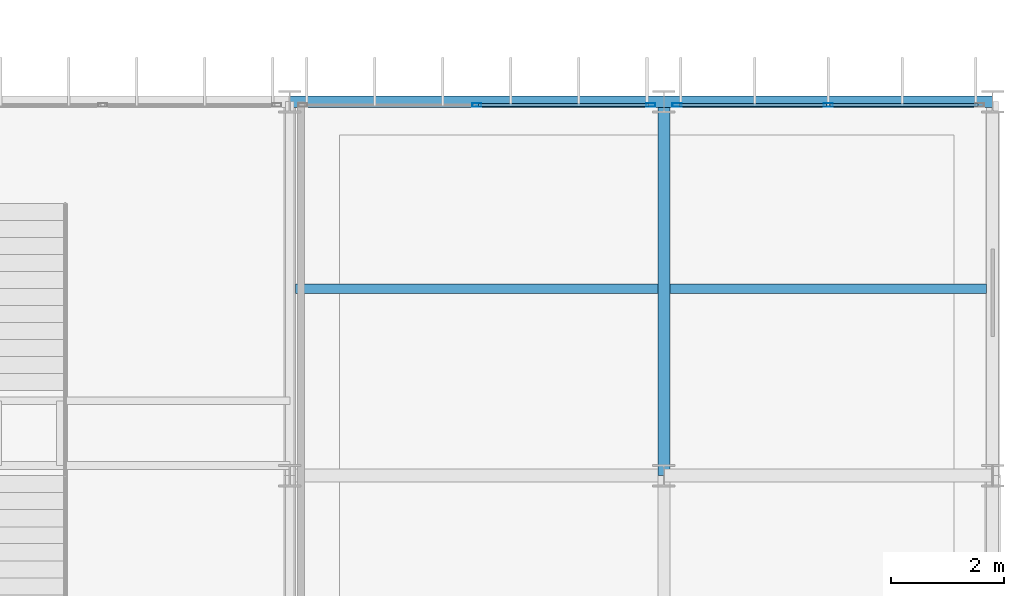
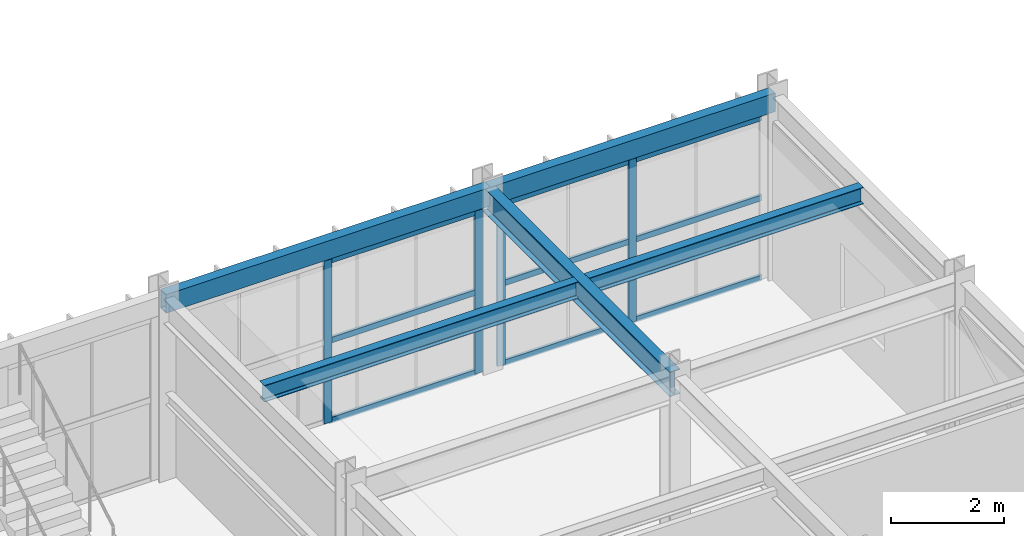
# One storey, part 94 of 148: 13 members, 5 beams, 2 elements without a shape of their own.
"""IFC4 building model written with IfcOpenShell, lengths in metres."""

from ifc_helpers import new_model, si_unit, direction, frame, origin, origin_2d, place, context, subcontext, project, spatial, hollow_rectangle, i_section, extrude, material, material_profile, profile_set, type_object, element, aggregate, save


model = new_model("IFC4")

# Units and contexts
model_context = context("Model", 3, precision=1e-05, world=origin(), true_north=direction((0.0, 1.0)))
body_context = subcontext(model_context, "Body", "Model", "MODEL_VIEW")
ifc_project = project(units=[si_unit("LENGTHUNIT", "METRE"), si_unit("AREAUNIT", "SQUARE_METRE"), si_unit("VOLUMEUNIT", "CUBIC_METRE"), si_unit("PLANEANGLEUNIT", "RADIAN"), si_unit("MASSUNIT", "GRAM", prefix="KILO")], contexts=[model_context])

# Site, building, storey
site_placement = place(None, origin())
site = spatial("IfcSite", under=ifc_project, at=site_placement, CompositionType="ELEMENT")
building_placement = place(site_placement, origin())
building = spatial("IfcBuilding", under=site, at=building_placement, Name="Karori Crest Natural Sciences Institute", CompositionType="ELEMENT")
storey_placement = place(building_placement, frame((0.0, 0.0, 4.89990234375)))
storey = spatial("IfcBuildingStorey", under=building, at=storey_placement, Name="L01", CompositionType="ELEMENT", Elevation=4.89990234375)

# Beams
ifc_material_1 = material(Name="Structural steel AS/NZS 3679.1 Grade 350", Category="steel")
ifc_material_profile_1 = material_profile(ifc_material_1, i_section(OverallWidth=0.208984375, OverallDepth=0.532958984375, WebThickness=0.01025390625, FlangeThickness=0.015625, FilletRadius=0.013916015625, at=origin_2d()), Name="530UB92.4")
ifc_profile_set_1 = profile_set([ifc_material_profile_1], Name="Structural steel AS/NZS 3679.1 Grade 350")
beam_type_1 = type_object("IfcBeamType", Name="BT-05", PredefinedType="BEAM", material=ifc_profile_set_1)
beam_1_placement = place(storey_placement, frame((156.39990234375, 14.0, 3.653564453125), z_axis=(0.0, 1.0, 0.0), x_axis=(-1.0, 0.0, 0.0)))
element("IfcBeam", 1, at=beam_1_placement, inside=storey, type_object=beam_type_1, Name="Beam B-2168", PredefinedType="BEAM", context=body_context, shape_type="SweptSolid", body=[
    extrude(i_section(OverallWidth=0.208984375, OverallDepth=0.532958984375, WebThickness=0.01025390625, FlangeThickness=0.015625, FilletRadius=0.013916015625, at=origin_2d()), origin(), (0.0, 0.0, 1.0), 6.60009765625),
])
ifc_material_profile_2 = material_profile(ifc_material_1, i_section(OverallWidth=0.172119140625, OverallDepth=0.35888671875, WebThickness=0.008056640625, FlangeThickness=0.012939453125, FilletRadius=0.010986328125, at=origin_2d()), Name="360UB56.7")
ifc_profile_set_2 = profile_set([ifc_material_profile_2], Name="Structural steel AS/NZS 3679.1 Grade 350")
beam_type_2 = type_object("IfcBeamType", Name="BT-08", PredefinedType="BEAM", material=ifc_profile_set_2)
beam_2_placement = place(storey_placement, frame((149.904541015625, 17.300048828125, 3.740478515625), z_axis=(1.0, 0.0, 0.0), x_axis=(0.0, 1.0, 0.0)))
element("IfcBeam", 2, at=beam_2_placement, inside=storey, type_object=beam_type_2, Name="Beam B-2191", PredefinedType="BEAM", context=body_context, shape_type="SweptSolid", body=[
    extrude(i_section(OverallWidth=0.172119140625, OverallDepth=0.35888671875, WebThickness=0.008056640625, FlangeThickness=0.012939453125, FilletRadius=0.010986328125, at=origin_2d()), origin(), (0.0, 0.0, 1.0), 6.390869140625),
])
beam_3_placement = place(storey_placement, frame((156.50439453125, 17.300048828125, 3.740478515625), z_axis=(1.0, 0.0, 0.0), x_axis=(0.0, 1.0, 0.0)))
element("IfcBeam", 3, at=beam_3_placement, inside=storey, type_object=beam_type_2, Name="Beam B-2194", PredefinedType="BEAM", context=body_context, shape_type="SweptSolid", body=[
    extrude(i_section(OverallWidth=0.172119140625, OverallDepth=0.35888671875, WebThickness=0.008056640625, FlangeThickness=0.012939453125, FilletRadius=0.010986328125, at=origin_2d()), origin(), (0.0, 0.0, 1.0), 5.591064453125),
])
ifc_material_2 = material(Name="Hollow structural steel AS/NZS 1163 Grade C350", Category="steel")
ifc_material_profile_3 = material_profile(ifc_material_2, hollow_rectangle(XDim=0.199951171875, YDim=0.39990234375, WallThickness=0.012451171875, at=origin_2d()), Name="RHS400x200x12.5")
ifc_profile_set_3 = profile_set([ifc_material_profile_3], Name="Hollow structural steel AS/NZS 1163 Grade C350")
beam_type_3 = type_object("IfcBeamType", Name="BT-14", PredefinedType="SPANDREL", material=ifc_profile_set_3)
beam_4_placement = place(storey_placement, frame((149.800048828125, 20.60009765625, 3.72021484375), z_axis=(1.0, 0.0, 0.0), x_axis=(0.0, 1.0, 0.0)))
element("IfcBeam", 4, at=beam_4_placement, inside=storey, type_object=beam_type_3, Name="Beam B-2140", PredefinedType="SPANDREL", context=body_context, shape_type="SweptSolid", body=[
    extrude(hollow_rectangle(XDim=0.199951171875, YDim=0.39990234375, WallThickness=0.012451171875, at=origin_2d()), origin(), (0.0, 0.0, 1.0), 6.599853515625),
])
beam_5_placement = place(storey_placement, frame((156.39990234375, 20.60009765625, 3.72021484375), z_axis=(1.0, 0.0, 0.0), x_axis=(0.0, 1.0, 0.0)))
element("IfcBeam", 5, at=beam_5_placement, inside=storey, type_object=beam_type_3, Name="Beam B-2141", PredefinedType="SPANDREL", context=body_context, shape_type="SweptSolid", body=[
    extrude(hollow_rectangle(XDim=0.199951171875, YDim=0.39990234375, WallThickness=0.012451171875, at=origin_2d()), origin(), (0.0, 0.0, 1.0), 5.800048828125),
])

# Curtain wall, members
ifc_material_3 = material(Name="Anodised architectural aluminium 6063-T6", Category="aluminium")
curtain_wall_type = type_object("IfcCurtainWallType", Name="CWT-20", PredefinedType="NOTDEFINED", material=ifc_material_3)
curtain_wall_1_placement = place(storey_placement, origin())
curtain_wall_1 = element("IfcCurtainWall", 6, at=curtain_wall_1_placement, inside=storey, type_object=curtain_wall_type, Name="Curtain wall CW-0311", PredefinedType="NOTDEFINED")
ifc_material_profile_4 = material_profile(ifc_material_3, hollow_rectangle(XDim=0.06494140625, YDim=0.159912109375, WallThickness=0.00390625, at=origin_2d()), Name="CWM160x65x4")
ifc_profile_set_4 = profile_set([ifc_material_profile_4], Name="Anodised architectural aluminium 6063-T6")
member_type_1 = type_object("IfcMemberType", Name="CWM-01", PredefinedType="MULLION", material=ifc_profile_set_4)
member_1_placement = place(storey_placement, frame((153.10009765625, 20.5400390625, 0.0), z_axis=(0.0, 0.0, 1.0), x_axis=(0.0, 1.0, 0.0)))
member_1 = element("IfcMember", 7, at=member_1_placement, type_object=member_type_1, Name="CW-0311 mullion 2", PredefinedType="MULLION", context=body_context, shape_type="SweptSolid", body=[
    extrude(hollow_rectangle(XDim=0.06494140625, YDim=0.159912109375, WallThickness=0.00390625, at=origin_2d()), origin(), (0.0, 0.0, 1.0), 3.505126953125),
])
member_2_placement = place(storey_placement, frame((156.16943359375, 20.5400390625, 0.0), z_axis=(0.0, 0.0, 1.0), x_axis=(0.0, 1.0, 0.0)))
member_2 = element("IfcMember", 8, at=member_2_placement, type_object=member_type_1, Name="CW-0311 mullion 3", PredefinedType="MULLION", context=body_context, shape_type="SweptSolid", body=[
    extrude(hollow_rectangle(XDim=0.06494140625, YDim=0.159912109375, WallThickness=0.00390625, at=origin_2d()), origin(), (0.0, 0.0, 1.0), 3.505126953125),
])

curtain_wall_2_placement = place(storey_placement, origin())
curtain_wall_2 = element("IfcCurtainWall", 9, at=curtain_wall_2_placement, inside=storey, type_object=curtain_wall_type, Name="Curtain wall CW-0312", PredefinedType="NOTDEFINED")
member_3_placement = place(storey_placement, frame((156.630615234375, 20.5400390625, 0.0), z_axis=(0.0, 0.0, 1.0), x_axis=(0.0, 1.0, 0.0)))
member_3 = element("IfcMember", 10, at=member_3_placement, type_object=member_type_1, Name="CW-0312 mullion 1", PredefinedType="MULLION", context=body_context, shape_type="SweptSolid", body=[
    extrude(hollow_rectangle(XDim=0.06494140625, YDim=0.159912109375, WallThickness=0.00390625, at=origin_2d()), origin(), (0.0, 0.0, 1.0), 3.505126953125),
])
member_4_placement = place(storey_placement, frame((159.300048828125, 20.5400390625, 0.0), z_axis=(0.0, 0.0, 1.0), x_axis=(0.0, 1.0, 0.0)))
member_4 = element("IfcMember", 11, at=member_4_placement, type_object=member_type_1, Name="CW-0312 mullion 2", PredefinedType="MULLION", context=body_context, shape_type="SweptSolid", body=[
    extrude(hollow_rectangle(XDim=0.06494140625, YDim=0.159912109375, WallThickness=0.00390625, at=origin_2d()), origin(), (0.0, 0.0, 1.0), 3.505126953125),
])

# Member
ifc_material_profile_5 = material_profile(ifc_material_3, hollow_rectangle(XDim=0.06005859375, YDim=0.1201171875, WallThickness=0.00390625, at=origin_2d()), Name="CWT120x60x4")
ifc_profile_set_5 = profile_set([ifc_material_profile_5], Name="Anodised architectural aluminium 6063-T6")
member_type_2 = type_object("IfcMemberType", Name="CWT-TR1", PredefinedType="USERDEFINED", material=ifc_profile_set_5)
member_5_placement = place(storey_placement, frame((153.132568359375, 20.5400390625, 0.030029296875), z_axis=(1.0, 0.0, 0.0), x_axis=(0.0, 1.0, 0.0)))
member_5 = element("IfcMember", 12, at=member_5_placement, type_object=member_type_2, Name="CW-0311 transom 2.1", ObjectType="TRANSOM", PredefinedType="USERDEFINED", context=body_context, shape_type="SweptSolid", body=[
    extrude(hollow_rectangle(XDim=0.06005859375, YDim=0.1201171875, WallThickness=0.00390625, at=origin_2d()), origin(), (0.0, 0.0, 1.0), 3.00439453125),
])

member_6_placement = place(storey_placement, frame((153.132568359375, 20.5400390625, 1.752685546875), z_axis=(1.0, 0.0, 0.0), x_axis=(0.0, 1.0, 0.0)))
member_6 = element("IfcMember", 13, at=member_6_placement, type_object=member_type_2, Name="CW-0311 transom 2.2", ObjectType="TRANSOM", PredefinedType="USERDEFINED", context=body_context, shape_type="SweptSolid", body=[
    extrude(hollow_rectangle(XDim=0.06005859375, YDim=0.1201171875, WallThickness=0.00390625, at=origin_2d()), origin(), (0.0, 0.0, 1.0), 3.00439453125),
])

member_7_placement = place(storey_placement, frame((153.132568359375, 20.5400390625, 3.47509765625), z_axis=(1.0, 0.0, 0.0), x_axis=(0.0, 1.0, 0.0)))
member_7 = element("IfcMember", 14, at=member_7_placement, type_object=member_type_2, Name="CW-0311 transom 2.3", ObjectType="TRANSOM", PredefinedType="USERDEFINED", context=body_context, shape_type="SweptSolid", body=[
    extrude(hollow_rectangle(XDim=0.06005859375, YDim=0.1201171875, WallThickness=0.00390625, at=origin_2d()), origin(), (0.0, 0.0, 1.0), 3.00439453125),
])

aggregate(curtain_wall_1, [member_1, member_2, member_5, member_6, member_7])

member_8_placement = place(storey_placement, frame((156.6630859375, 20.5400390625, 0.030029296875), z_axis=(1.0, 0.0, 0.0), x_axis=(0.0, 1.0, 0.0)))
member_8 = element("IfcMember", 15, at=member_8_placement, type_object=member_type_2, Name="CW-0312 transom 1.1", ObjectType="TRANSOM", PredefinedType="USERDEFINED", context=body_context, shape_type="SweptSolid", body=[
    extrude(hollow_rectangle(XDim=0.06005859375, YDim=0.1201171875, WallThickness=0.00390625, at=origin_2d()), origin(), (0.0, 0.0, 1.0), 2.6044921875),
])

member_9_placement = place(storey_placement, frame((156.6630859375, 20.5400390625, 1.752685546875), z_axis=(1.0, 0.0, 0.0), x_axis=(0.0, 1.0, 0.0)))
member_9 = element("IfcMember", 16, at=member_9_placement, type_object=member_type_2, Name="CW-0312 transom 1.2", ObjectType="TRANSOM", PredefinedType="USERDEFINED", context=body_context, shape_type="SweptSolid", body=[
    extrude(hollow_rectangle(XDim=0.06005859375, YDim=0.1201171875, WallThickness=0.00390625, at=origin_2d()), origin(), (0.0, 0.0, 1.0), 2.6044921875),
])

member_10_placement = place(storey_placement, frame((156.6630859375, 20.5400390625, 3.47509765625), z_axis=(1.0, 0.0, 0.0), x_axis=(0.0, 1.0, 0.0)))
member_10 = element("IfcMember", 17, at=member_10_placement, type_object=member_type_2, Name="CW-0312 transom 1.3", ObjectType="TRANSOM", PredefinedType="USERDEFINED", context=body_context, shape_type="SweptSolid", body=[
    extrude(hollow_rectangle(XDim=0.06005859375, YDim=0.1201171875, WallThickness=0.00390625, at=origin_2d()), origin(), (0.0, 0.0, 1.0), 2.6044921875),
])

member_11_placement = place(storey_placement, frame((159.33251953125, 20.5400390625, 0.030029296875), z_axis=(1.0, 0.0, 0.0), x_axis=(0.0, 1.0, 0.0)))
member_11 = element("IfcMember", 18, at=member_11_placement, type_object=member_type_2, Name="CW-0312 transom 2.1", ObjectType="TRANSOM", PredefinedType="USERDEFINED", context=body_context, shape_type="SweptSolid", body=[
    extrude(hollow_rectangle(XDim=0.06005859375, YDim=0.1201171875, WallThickness=0.00390625, at=origin_2d()), origin(), (0.0, 0.0, 1.0), 2.6044921875),
])

member_12_placement = place(storey_placement, frame((159.33251953125, 20.5400390625, 1.752685546875), z_axis=(1.0, 0.0, 0.0), x_axis=(0.0, 1.0, 0.0)))
member_12 = element("IfcMember", 19, at=member_12_placement, type_object=member_type_2, Name="CW-0312 transom 2.2", ObjectType="TRANSOM", PredefinedType="USERDEFINED", context=body_context, shape_type="SweptSolid", body=[
    extrude(hollow_rectangle(XDim=0.06005859375, YDim=0.1201171875, WallThickness=0.00390625, at=origin_2d()), origin(), (0.0, 0.0, 1.0), 2.6044921875),
])

member_13_placement = place(storey_placement, frame((159.33251953125, 20.5400390625, 3.47509765625), z_axis=(1.0, 0.0, 0.0), x_axis=(0.0, 1.0, 0.0)))
member_13 = element("IfcMember", 20, at=member_13_placement, type_object=member_type_2, Name="CW-0312 transom 2.3", ObjectType="TRANSOM", PredefinedType="USERDEFINED", context=body_context, shape_type="SweptSolid", body=[
    extrude(hollow_rectangle(XDim=0.06005859375, YDim=0.1201171875, WallThickness=0.00390625, at=origin_2d()), origin(), (0.0, 0.0, 1.0), 2.6044921875),
])

aggregate(curtain_wall_2, [member_3, member_4, member_8, member_9, member_10, member_11, member_12, member_13])

save(model, "model.ifc")
